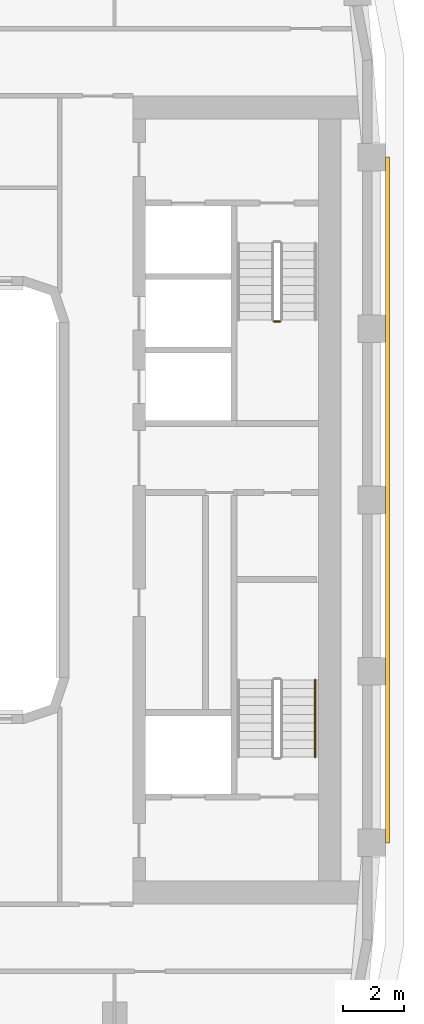
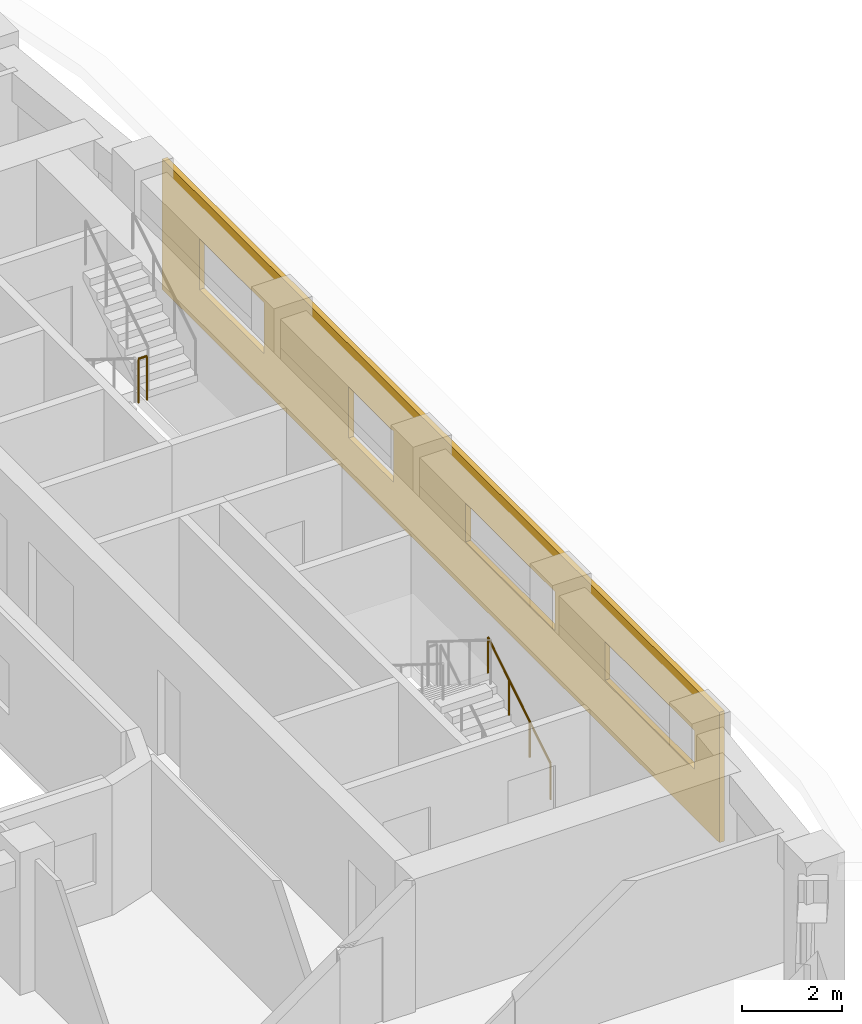
# One storey, part 15 of 18: 2 railings, 1 covering.
"""IFC4 building model written with IfcOpenShell, lengths in metres."""

from ifc_helpers import new_model, si_unit, direction, frame, origin, origin_2d, place, context, subcontext, project, spatial, polyline, circle, outline, extrude, material, layer, layer_set, type_object, element, save


model = new_model("IFC4")

# Units and contexts
model_context = context("Model", 3, precision=1e-05, world=origin(), true_north=direction((0.0, 1.0)))
body_context = subcontext(model_context, "Body", "Model", "MODEL_VIEW")
ifc_project = project(units=[si_unit("LENGTHUNIT", "METRE"), si_unit("AREAUNIT", "SQUARE_METRE"), si_unit("VOLUMEUNIT", "CUBIC_METRE"), si_unit("PLANEANGLEUNIT", "RADIAN"), si_unit("MASSUNIT", "GRAM", prefix="KILO")], contexts=[model_context])

# Site, building, storey
site_placement = place(None, origin())
site = spatial("IfcSite", under=ifc_project, at=site_placement, CompositionType="ELEMENT")
building_placement = place(site_placement, origin())
building = spatial("IfcBuilding", under=site, at=building_placement, Name="Kiln Ring Residences", CompositionType="ELEMENT")
storey_placement = place(building_placement, frame((0.0, 0.0, 209.89990234375)))
storey = spatial("IfcBuildingStorey", under=building, at=storey_placement, Name="L54", CompositionType="ELEMENT", Elevation=209.89990234375)

# Railings
ifc_material_1 = material(Name="Stainless steel", Category="steel")
railing_type_1 = type_object("IfcRailingType", Name="CORE-STAIR-GUARD", PredefinedType="GUARDRAIL", material=ifc_material_1)
railing_1_placement = place(storey_placement, frame((22.0, 5.830078125, 1.75)))
element("IfcRailing", 1, at=railing_1_placement, inside=storey, type_object=railing_type_1, Name="L54 E-STN stair guard 2", PredefinedType="GUARDRAIL", context=body_context, shape_type="SweptSolid", body=[
    extrude(circle(Radius=0.02392578125, at=origin_2d()), frame((0.0, 0.0, 1.076171875), z_axis=(1.0, 0.0, 0.0), x_axis=(0.0, 1.0, 0.0)), (0.0, 0.0, 1.0), 0.199951171875),
    extrude(circle(Radius=0.02099609375, at=origin_2d()), origin(), (0.0, 0.0, 1.0), 1.052001953125),
    extrude(circle(Radius=0.02099609375, at=origin_2d()), frame((0.199951171875, 0.0, 0.0)), (0.0, 0.0, 1.0), 1.052001953125),
])
ifc_material_2 = material(Name="Stainless steel", Category="steel")
railing_type_2 = type_object("IfcRailingType", Name="CORE-STAIR-HANDRAIL", PredefinedType="HANDRAIL", material=ifc_material_2)
railing_2_placement = place(storey_placement, frame((23.35009765625, -8.39990234375, 0.175048828125)))
element("IfcRailing", 2, at=railing_2_placement, inside=storey, type_object=railing_type_2, Name="L54 E-STS stair handrail 1", PredefinedType="HANDRAIL", context=body_context, shape_type="SweptSolid", body=[
    extrude(circle(Radius=0.02392578125, at=origin_2d()), frame((0.0, 0.0, 0.8759765625), z_axis=(0.0, 0.848007534815, 0.529984170421), x_axis=(-1.0, 0.0, 0.0)), (0.0, 0.0, 1.0), 2.9716796875),
    extrude(circle(Radius=0.02099609375, at=origin_2d()), origin(), (0.0, 0.0, 1.0), 0.851806640625),
    extrude(circle(Radius=0.02099609375, at=origin_2d()), frame((0.0, 0.840087890625, 0.52490234375)), (0.0, 0.0, 1.0), 0.851806640625),
    extrude(circle(Radius=0.02099609375, at=origin_2d()), frame((0.0, 1.679931640625, 1.050048828125)), (0.0, 0.0, 1.0), 0.851806640625),
    extrude(circle(Radius=0.02099609375, at=origin_2d()), frame((0.0, 2.52001953125, 1.574951171875)), (0.0, 0.0, 1.0), 0.851806640625),
])

# Covering
ifc_material_3 = material(Name="Brick masonry, dark clay brick", Category="masonry")
ifc_layer = layer(ifc_material_3, 0.1201171875)
ifc_layer_set = layer_set([ifc_layer], Name="RAINSCREEN PANEL 120")
covering_type = type_object("IfcCoveringType", Name="RAINSCREEN PANEL 120", PredefinedType="CLADDING", material=ifc_layer_set)
covering_placement = place(storey_placement, frame((25.7099609375, -11.199951171875, 0.0), z_axis=(0.0, 0.0, 1.0), x_axis=(0.0, 1.0, 0.0)))
element("IfcCovering", 3, at=covering_placement, inside=storey, type_object=covering_type, Name="RAINSCREEN L54", PredefinedType="CLADDING", context=body_context, shape_type="SweptSolid", body=[
    extrude(outline(polyline([(0.0, 0.0), (22.39990234375, 0.0), (22.39990234375, 3.2001953125), (0.0, 3.2001953125), (0.0, 0.0)]), holes=[polyline([(14.89990234375, 0.900146484375), (14.89990234375, 2.150146484375), (13.10009765625, 2.150146484375), (13.10009765625, 0.900146484375), (14.89990234375, 0.900146484375)]), polyline([(20.89990234375, 0.900146484375), (20.89990234375, 2.150146484375), (18.300048828125, 2.150146484375), (18.300048828125, 0.900146484375), (20.89990234375, 0.900146484375)]), polyline([(4.60009765625, 1.2001953125), (4.60009765625, 2.150146484375), (1.0, 2.150146484375), (1.0, 1.2001953125), (4.60009765625, 1.2001953125)]), polyline([(10.199951171875, 1.2001953125), (10.199951171875, 2.150146484375), (6.60009765625, 2.150146484375), (6.60009765625, 1.2001953125), (10.199951171875, 1.2001953125)])]), frame((0.0, 0.06005859375, 0.0), z_axis=(0.0, -1.0, 0.0), x_axis=(1.0, 0.0, 0.0)), (0.0, 0.0, 1.0), 0.1201171875),
])

save(model, "model.ifc")
